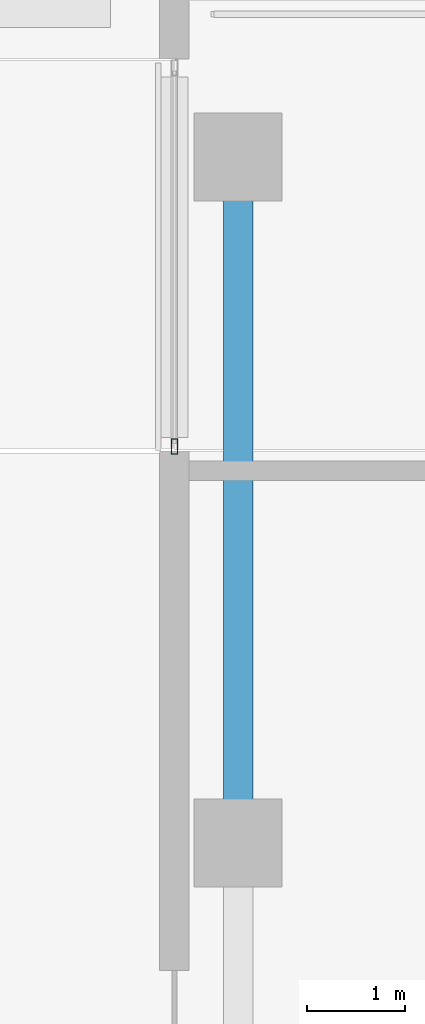
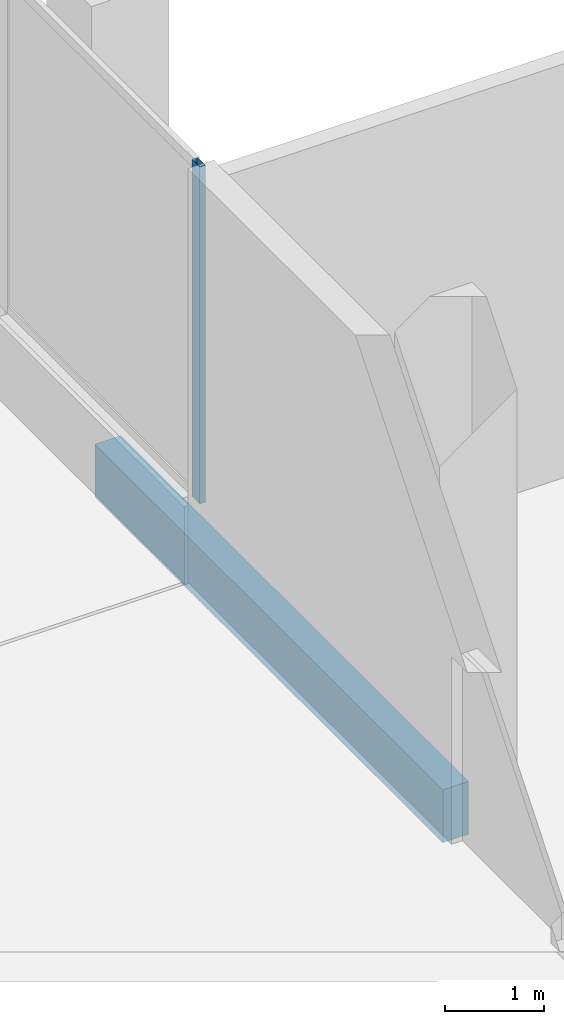
# One storey, part 67 of 158: 1 beam, 1 member, 1 element without a shape of its own.
"""IFC4 building model written with IfcOpenShell, lengths in metres."""

from ifc_helpers import new_model, si_unit, direction, frame, origin, origin_2d, place, context, subcontext, project, spatial, rectangle, hollow_rectangle, extrude, material, material_profile, profile_set, type_object, element, aggregate, save


model = new_model("IFC4")

# Units and contexts
model_context = context("Model", 3, precision=1e-05, world=origin(), true_north=direction((0.0, 1.0)))
body_context = subcontext(model_context, "Body", "Model", "MODEL_VIEW")
ifc_project = project(units=[si_unit("LENGTHUNIT", "METRE"), si_unit("AREAUNIT", "SQUARE_METRE"), si_unit("VOLUMEUNIT", "CUBIC_METRE"), si_unit("PLANEANGLEUNIT", "RADIAN"), si_unit("MASSUNIT", "GRAM", prefix="KILO")], contexts=[model_context])

# Site, building, storey
site_placement = place(None, origin())
site = spatial("IfcSite", under=ifc_project, at=site_placement, CompositionType="ELEMENT")
building_placement = place(site_placement, origin())
building = spatial("IfcBuilding", under=site, at=building_placement, Name="Selatvlak General Hospital", CompositionType="ELEMENT")
storey_placement = place(building_placement, origin())
storey = spatial("IfcBuildingStorey", under=building, at=storey_placement, Name="L00", CompositionType="ELEMENT", Elevation=0.0)

# Beam
ifc_material_1 = material(Name="Concrete C40/50", Category="concrete")
ifc_material_profile_1 = material_profile(ifc_material_1, rectangle(XDim=0.300048828125, YDim=0.64990234375, at=origin_2d()), Name="RC-SP 300x650")
ifc_profile_set_1 = profile_set([ifc_material_profile_1], Name="Concrete C40/50")
beam_type = type_object("IfcBeamType", Name="BM-SP1", PredefinedType="SPANDREL", material=ifc_profile_set_1)
beam_placement = place(storey_placement, frame((15.050048828125, 84.0, -0.675048828125), z_axis=(0.0, 1.0, 0.0), x_axis=(-1.0, 0.0, 0.0)))
element("IfcBeam", 1, at=beam_placement, inside=storey, type_object=beam_type, Name="Beam BMR-L00-0162", PredefinedType="SPANDREL", context=body_context, shape_type="SweptSolid", body=[
    extrude(rectangle(XDim=0.300048828125, YDim=0.64990234375, at=origin_2d()), origin(), (0.0, 0.0, 1.0), 7.0),
])

# Curtain wall, member
ifc_material_2 = material(Name="Solar-control Low-E double glazing", Category="glass")
curtain_wall_type = type_object("IfcCurtainWallType", Name="CW-CW-02", PredefinedType="USERDEFINED", material=ifc_material_2)
curtain_wall_placement = place(storey_placement, origin())
curtain_wall = element("IfcCurtainWall", 2, at=curtain_wall_placement, inside=storey, type_object=curtain_wall_type, Name="Glazed facade curtain wall CW-L00-0001", ObjectType="UNITISED CURTAIN WALL", PredefinedType="USERDEFINED")
ifc_material_3 = material(Name="Dark anodised aluminium mullion", Category="aluminium")
ifc_material_profile_2 = material_profile(ifc_material_3, hollow_rectangle(XDim=0.06494140625, YDim=0.159912109375, WallThickness=0.00390625, at=origin_2d()), Name="AL-MUL 65x160x4")
ifc_profile_set_2 = profile_set([ifc_material_profile_2], Name="Dark anodised aluminium mullion")
member_type = type_object("IfcMemberType", Name="CWM-01", PredefinedType="MULLION", material=ifc_profile_set_2)
member_placement = place(storey_placement, frame((14.39990234375, 88.04638671875, 0.93994140625), z_axis=(0.0, 0.0, 1.0), x_axis=(-1.0, 0.0, 0.0)))
member = element("IfcMember", 3, at=member_placement, type_object=member_type, Name="CW-02 mullion 1", PredefinedType="MULLION", context=body_context, shape_type="SweptSolid", body=[
    extrude(hollow_rectangle(XDim=0.06494140625, YDim=0.159912109375, WallThickness=0.00390625, at=origin_2d()), origin(), (0.0, 0.0, 1.0), 4.14013671875),
])
aggregate(curtain_wall, [member])

save(model, "model.ifc")
